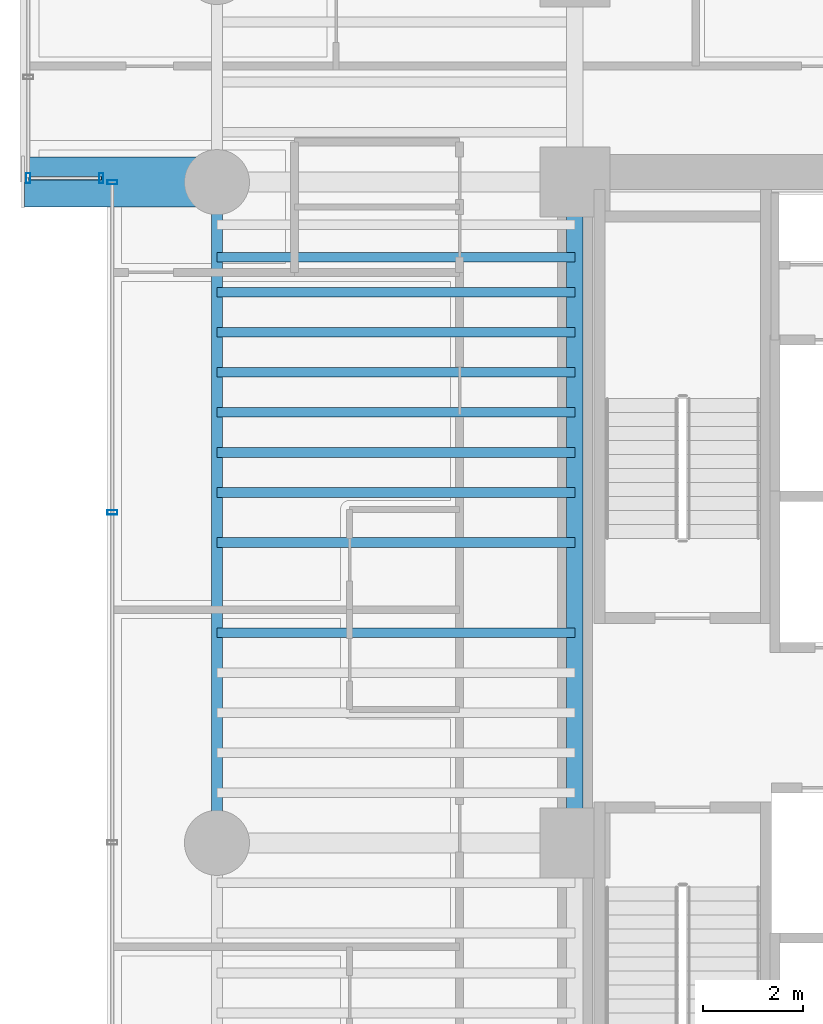
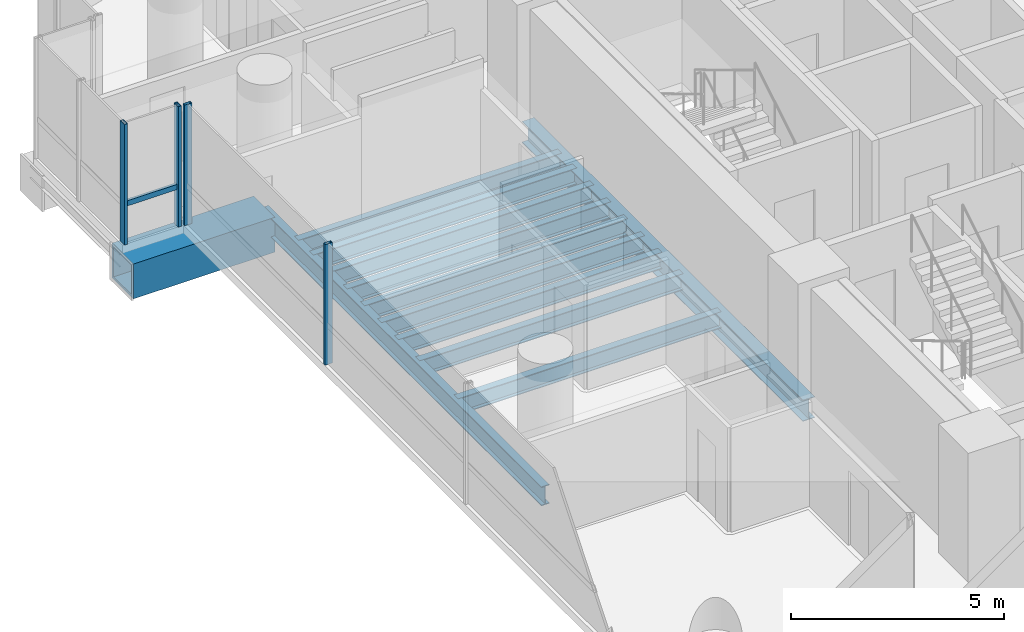
# One storey, part 10 of 42: 12 beams, 5 members, 2 elements without a shape of their own.
"""IFC4 building model written with IfcOpenShell, lengths in metres."""

import ifcopenshell
import ifcopenshell.guid

model = None  # the IFC model being written
_history = None  # IfcOwnerHistory: only IFC2X3 demands one
_inside = {}  # id of a spatial element -> (the spatial element, [elements in it])
_under = {}  # id of a project, library or spatial element -> (it, [spatial elements below it])
_declared = {}  # id of a project -> (the project, [libraries it declares])
_typed = {}  # id of a type object -> (the type object, [elements of that type])
_made_of = {}  # id of a material, layer set ... -> (it, [elements and type objects made of it])


def new_model(schema):
    """Start an empty IFC model of exactly this schema.

    Asked for "IFC4X3", IfcOpenShell would pick the latest addendum, in which some entities
    have other attributes; the version numbers below select the first issue.
    IFC2X3 requires an IfcOwnerHistory on every rooted entity: one is made here for all.
    """
    global model, _history
    if schema == "IFC4X3":
        model = ifcopenshell.file(schema_version=(4, 3, 0, 0))
    else:
        model = ifcopenshell.file(schema=schema)
    _inside.clear()
    _under.clear()
    _declared.clear()
    _typed.clear()
    _made_of.clear()
    _history = None
    if model.schema == "IFC2X3":
        org = make("IfcOrganization", Name="unknown")
        user = make(
            "IfcPersonAndOrganization",
            ThePerson=make("IfcPerson", FamilyName="unknown"),
            TheOrganization=org,
        )
        app = make(
            "IfcApplication",
            ApplicationDeveloper=org,
            Version="unknown",
            ApplicationFullName="unknown",
            ApplicationIdentifier="unknown",
        )
        _history = make(
            "IfcOwnerHistory",
            OwningUser=user,
            OwningApplication=app,
            ChangeAction="ADDED",
            CreationDate=0,
        )
    return model


def make(cls, **values):
    """One entity of the class cls with the attributes given. An attribute that is None is left unset."""
    return model.create_entity(
        cls, **{name: value for name, value in values.items() if value is not None}
    )


def rooted(cls, **values):
    """An entity with a GlobalId (a new one), such as an element, a storey or a relation."""
    return make(cls, GlobalId=ifcopenshell.guid.new(), OwnerHistory=_history, **values)


def si_unit(unit_type, name, prefix=None):
    """IfcSIUnit, for example si_unit("LENGTHUNIT", "METRE", prefix="MILLI")."""
    return make("IfcSIUnit", UnitType=unit_type, Prefix=prefix, Name=name)


def assignment(units):
    """IfcUnitAssignment: the units of a project."""
    return None if units is None else make("IfcUnitAssignment", Units=units)


def point(xyz):
    """IfcCartesianPoint."""
    return None if xyz is None else make("IfcCartesianPoint", Coordinates=xyz)


def direction(xyz):
    """IfcDirection."""
    return None if xyz is None else make("IfcDirection", DirectionRatios=xyz)


def frame(location, z_axis=None, x_axis=None):
    """IfcAxis2Placement3D, a coordinate frame: its origin and axes. An axis left out is left unset."""
    return make(
        "IfcAxis2Placement3D",
        Location=point(location),
        Axis=direction(z_axis),
        RefDirection=direction(x_axis),
    )


def frame_2d(location, x_axis=None):
    """IfcAxis2Placement2D, a coordinate frame in the plane: its origin and x axis."""
    return make(
        "IfcAxis2Placement2D", Location=point(location), RefDirection=direction(x_axis)
    )


def origin():
    """The frame at (0, 0, 0) with its axes left unset."""
    return frame((0.0, 0.0, 0.0))


def origin_2d():
    """The frame at (0, 0) in the plane with its x axis left unset."""
    return frame_2d((0.0, 0.0))


def place(relative_to, where):
    """IfcLocalPlacement: puts the frame where relative to a parent placement (None: the world)."""
    return make(
        "IfcLocalPlacement", PlacementRelTo=relative_to, RelativePlacement=where
    )


def context(
    kind, dimensions, precision=None, world=None, true_north=None, identifier=None
):
    """IfcGeometricRepresentationContext, for example the 3D "Model" context."""
    return make(
        "IfcGeometricRepresentationContext",
        ContextIdentifier=identifier,
        ContextType=kind,
        CoordinateSpaceDimension=dimensions,
        Precision=precision,
        WorldCoordinateSystem=world,
        TrueNorth=true_north,
    )


def subcontext(parent, identifier, kind, view, scale=None):
    """IfcGeometricRepresentationSubContext, for example "Body" below "Model"."""
    return make(
        "IfcGeometricRepresentationSubContext",
        ContextIdentifier=identifier,
        ContextType=kind,
        ParentContext=parent,
        TargetScale=scale,
        TargetView=view,
    )


def project(units=None, contexts=None):
    """IfcProject with its units and contexts."""
    return rooted(
        "IfcProject",
        Name="project",
        RepresentationContexts=contexts,
        UnitsInContext=assignment(units),
    )


def spatial(cls, under=None, at=None, **own):
    """A site, building, storey or space (cls), placed at a placement, below another one or the project."""
    s = rooted(cls, ObjectPlacement=at, **own)
    if under is not None:
        _under.setdefault(under.id(), (under, []))[1].append(s)
    return s


def profile(cls, at=None, kind="AREA", **sizes):
    """A parametric profile (cls). Its sizes go by their IFC names, for example OverallWidth=200.0."""
    return make(cls, ProfileType=kind, Position=at, **sizes)


def hollow_rectangle(**sizes):
    """IfcRectangleHollowProfileDef."""
    return profile("IfcRectangleHollowProfileDef", **sizes)


def i_section(**sizes):
    """IfcIShapeProfileDef."""
    return profile("IfcIShapeProfileDef", **sizes)


def extrude(swept, where, along, depth):
    """IfcExtrudedAreaSolid: the profile swept, set in the frame where, extruded along a direction by depth."""
    return make(
        "IfcExtrudedAreaSolid",
        SweptArea=swept,
        Position=where,
        ExtrudedDirection=direction(along),
        Depth=depth,
    )


def shape(context_of_items, identifier, shape_type, items):
    """IfcShapeRepresentation: the items that make up one representation, for example the "Body"."""
    return make(
        "IfcShapeRepresentation",
        ContextOfItems=context_of_items,
        RepresentationIdentifier=identifier,
        RepresentationType=shape_type,
        Items=items,
    )


def source(mapping_origin, context_of_items, identifier, shape_type, items):
    """IfcRepresentationMap: a shape defined once, which mapped items show again and again."""
    return make(
        "IfcRepresentationMap",
        MappingOrigin=mapping_origin,
        MappedRepresentation=shape(context_of_items, identifier, shape_type, items),
    )


def transform(
    local_origin,
    x_axis=None,
    y_axis=None,
    z_axis=None,
    scale=None,
    scale2=None,
    scale3=None,
    uniform=True,
):
    """IfcCartesianTransformationOperator3D, or its non-uniform kind. x_axis, y_axis, z_axis: its Axis1, 2, 3."""
    if uniform:
        return make(
            "IfcCartesianTransformationOperator3D",
            Axis1=direction(x_axis),
            Axis2=direction(y_axis),
            LocalOrigin=point(local_origin),
            Scale=scale,
            Axis3=direction(z_axis),
        )
    return make(
        "IfcCartesianTransformationOperator3DnonUniform",
        Axis1=direction(x_axis),
        Axis2=direction(y_axis),
        LocalOrigin=point(local_origin),
        Scale=scale,
        Axis3=direction(z_axis),
        Scale2=scale2,
        Scale3=scale3,
    )


def mapped(mapping_source, mapping_target):
    """IfcMappedItem: shows the shape of a source again, moved by a transform."""
    return make(
        "IfcMappedItem", MappingSource=mapping_source, MappingTarget=mapping_target
    )


def material(Name=None, Category=None):
    """IfcMaterial."""
    return make("IfcMaterial", Name=Name, Category=Category)


def material_profile(
    of_material, cross_section, Name=None, Category=None, Priority=None
):
    """IfcMaterialProfile: a cross section and its material."""
    return make(
        "IfcMaterialProfile",
        Name=Name,
        Material=of_material,
        Profile=cross_section,
        Priority=Priority,
        Category=Category,
    )


def profile_set(profiles, Name=None, composite=None):
    """IfcMaterialProfileSet."""
    return make(
        "IfcMaterialProfileSet",
        Name=Name,
        MaterialProfiles=profiles,
        CompositeProfile=composite,
    )


def made_of(thing, what):
    """Note that an element or type object is made of a material, layer set ...; save() writes the relation."""
    if what is not None:
        _made_of.setdefault(what.id(), (what, []))[1].append(thing)
    return thing


def type_object(cls, material=None, **own):
    """A type object (cls), such as IfcWallType, which elements share."""
    return made_of(rooted(cls, **own), material)


def element(
    cls,
    number,
    at=None,
    inside=None,
    cuts=None,
    type_object=None,
    material=None,
    context=None,
    identifier="Body",
    shape_type=None,
    held_by="IfcProductDefinitionShape",
    body=None,
    shapes=None,
    **own,
):
    """One element of the class cls, such as IfcWall. Its Tag is "e" and its number.

    at: its placement. inside: the storey or other place that contains it. cuts: it is an
    opening in that element (IfcRelVoidsElement). A single representation is given by context,
    identifier, shape_type and body (its items); several are given by shapes. held_by: the class
    of the entity that holds the representations. save() writes the other relations.
    """
    e = rooted(cls, Tag="e%d" % number, ObjectPlacement=at, **own)
    if body is not None:
        shapes = [shape(context, identifier, shape_type, body)]
    if shapes is not None:
        e.Representation = make(held_by, Representations=shapes)
    if inside is not None:
        _inside.setdefault(inside.id(), (inside, []))[1].append(e)
    if cuts is not None:
        rooted(
            "IfcRelVoidsElement", RelatingBuildingElement=cuts, RelatedOpeningElement=e
        )
    if type_object is not None:
        _typed.setdefault(type_object.id(), (type_object, []))[1].append(e)
    return made_of(e, material)


def aggregate(whole, parts):
    """IfcRelAggregates: a whole, such as a stair, and the parts it consists of."""
    return rooted("IfcRelAggregates", RelatingObject=whole, RelatedObjects=parts)


def save(model, path):
    """Write the relations noted so far, then the file.

    IfcRelAggregates (storeys below a building ...), IfcRelContainedInSpatialStructure (elements
    in a storey), IfcRelDefinesByType, IfcRelAssociatesMaterial and IfcRelDeclares: one each for
    every whole, place, type object, material and project.
    """
    for whole, parts in _under.values():
        aggregate(whole, parts)
    for where, things in _inside.values():
        rooted(
            "IfcRelContainedInSpatialStructure",
            RelatedElements=things,
            RelatingStructure=where,
        )
    for kind, things in _typed.values():
        rooted("IfcRelDefinesByType", RelatedObjects=things, RelatingType=kind)
    for what, things in _made_of.values():
        rooted("IfcRelAssociatesMaterial", RelatedObjects=things, RelatingMaterial=what)
    for by, libraries in _declared.values():
        rooted("IfcRelDeclares", RelatingContext=by, RelatedDefinitions=libraries)
    model.write(path)


model = new_model("IFC4")

# Units and contexts
model_context = context("Model", 3, precision=1e-05, world=origin(), true_north=direction((0.0, 1.0)))
body_context = subcontext(model_context, "Body", "Model", "MODEL_VIEW")
ifc_project = project(units=[si_unit("LENGTHUNIT", "METRE"), si_unit("AREAUNIT", "SQUARE_METRE"), si_unit("VOLUMEUNIT", "CUBIC_METRE"), si_unit("PLANEANGLEUNIT", "RADIAN"), si_unit("MASSUNIT", "GRAM", prefix="KILO")], contexts=[model_context])

# Site, building, storey
site_placement = place(None, origin())
site = spatial("IfcSite", under=ifc_project, at=site_placement, CompositionType="ELEMENT")
building_placement = place(site_placement, origin())
building = spatial("IfcBuilding", under=site, at=building_placement, Name="Valdorenza Pilgrim Sanctuary Tower", CompositionType="ELEMENT")
storey_placement = place(building_placement, frame((0.0, 0.0, 55.60009765625)))
storey = spatial("IfcBuildingStorey", under=building, at=storey_placement, Name="L13", CompositionType="ELEMENT", Elevation=55.60009765625)

# Beams
ifc_material_1 = material(Name="Steel ASTM A992 Grade 50", Category="steel")
ifc_material_profile_1 = material_profile(ifc_material_1, i_section(OverallWidth=0.214111328125, OverallDepth=0.549072265625, WebThickness=0.0146484375, FlangeThickness=0.023681640625, at=origin_2d()), Name="W21X93")
ifc_profile_set_1 = profile_set([ifc_material_profile_1], Name="Steel ASTM A992 Grade 50")
beam_type_1 = type_object("IfcBeamType", Name="STR-BM-SPN-W21A", PredefinedType="SPANDREL", material=ifc_profile_set_1)
shared_shape_1 = source(origin(), body_context, "Body", "SweptSolid", [
    extrude(i_section(OverallWidth=0.214111328125, OverallDepth=0.549072265625, WebThickness=0.0146484375, FlangeThickness=0.023681640625, at=origin_2d()), origin(), (0.0, 0.0, 1.0), 13.2001953125),
])
beam_1_placement = place(storey_placement, frame((-29.800048828125, -2.60009765625, -0.5146484375), z_axis=(0.0, 1.0, 0.0), x_axis=(-1.0, 0.0, 0.0)))
element("IfcBeam", 1, at=beam_1_placement, inside=storey, type_object=beam_type_1, Name="L13 Spandrel Beam WA-W-M0N1", PredefinedType="SPANDREL", context=body_context, shape_type="MappedRepresentation", body=[
    mapped(shared_shape_1, transform((0.0, 0.0, 0.0), x_axis=(1.0, 0.0, 0.0), y_axis=(0.0, 1.0, 0.0), z_axis=(0.0, 0.0, 1.0), scale=1.0)),
])
ifc_material_profile_2 = material_profile(ifc_material_1, i_section(OverallWidth=0.323974609375, OverallDepth=0.611083984375, WebThickness=0.0126953125, FlangeThickness=0.01904296875, at=origin_2d()), Name="W24X104")
ifc_profile_set_2 = profile_set([ifc_material_profile_2], Name="Steel ASTM A992 Grade 50")
beam_type_2 = type_object("IfcBeamType", Name="STR-BM-GRD-W24B", PredefinedType="BEAM", material=ifc_profile_set_2)
shared_shape_2 = source(origin(), body_context, "Body", "SweptSolid", [
    extrude(i_section(OverallWidth=0.323974609375, OverallDepth=0.611083984375, WebThickness=0.0126953125, FlangeThickness=0.01904296875, at=origin_2d()), origin(), (0.0, 0.0, 1.0), 13.2001953125),
])
beam_2_placement = place(storey_placement, frame((-22.64990234375, -2.60009765625, -0.545654296875), z_axis=(0.0, 1.0, 0.0), x_axis=(-1.0, 0.0, 0.0)))
element("IfcBeam", 2, at=beam_2_placement, inside=storey, type_object=beam_type_2, Name="L13 Core Tie Girder CA-W-M0N1", PredefinedType="BEAM", context=body_context, shape_type="MappedRepresentation", body=[
    mapped(shared_shape_2, transform((0.0, 0.0, 0.0), x_axis=(1.0, 0.0, 0.0), y_axis=(0.0, 1.0, 0.0), z_axis=(0.0, 0.0, 1.0), scale=1.0)),
])
ifc_material_profile_3 = material_profile(ifc_material_1, i_section(OverallWidth=0.193115234375, OverallDepth=0.466064453125, WebThickness=0.011474609375, FlangeThickness=0.01904296875, at=origin_2d()), Name="W18X65")
ifc_profile_set_3 = profile_set([ifc_material_profile_3], Name="Steel ASTM A992 Grade 50")
beam_type_3 = type_object("IfcBeamType", Name="STR-BM-JST-W18A", PredefinedType="JOIST", material=ifc_profile_set_3)
shared_shape_3 = source(origin(), body_context, "Body", "SweptSolid", [
    extrude(i_section(OverallWidth=0.193115234375, OverallDepth=0.466064453125, WebThickness=0.011474609375, FlangeThickness=0.01904296875, at=origin_2d()), origin(), (0.0, 0.0, 1.0), 7.150146484375),
])
for number, where, z_axis, x_axis, name in (
    (3, (-29.800048828125, 1.60009765625, -0.47314453125), (1.0, 0.0, 0.0), (0.0, 1.0, 0.0), "L13 Composite Floor Joist JST-WA-14"),
    (4, (-29.800048828125, 3.39990234375, -0.47314453125), (1.0, 0.0, 0.0), (0.0, 1.0, 0.0), "L13 Composite Floor Joist JST-WA-15"),
    (5, (-29.800048828125, 4.39990234375, -0.47314453125), (1.0, 0.0, 0.0), (0.0, 1.0, 0.0), "L13 Composite Floor Joist JST-WA-16"),
    (6, (-29.800048828125, 5.199951171875, -0.47314453125), (1.0, 0.0, 0.0), (0.0, 1.0, 0.0), "L13 Composite Floor Joist JST-WA-17"),
    (7, (-29.800048828125, 6.0, -0.47314453125), (1.0, 0.0, 0.0), (0.0, 1.0, 0.0), "L13 Composite Floor Joist JST-WA-18"),
    (8, (-29.800048828125, 6.800048828125, -0.47314453125), (1.0, 0.0, 0.0), (0.0, 1.0, 0.0), "L13 Composite Floor Joist JST-WA-19"),
    (9, (-29.800048828125, 7.60009765625, -0.47314453125), (1.0, 0.0, 0.0), (0.0, 1.0, 0.0), "L13 Composite Floor Joist JST-WA-20"),
    (10, (-29.800048828125, 8.39990234375, -0.47314453125), (1.0, 0.0, 0.0), (0.0, 1.0, 0.0), "L13 Composite Floor Joist JST-WA-21"),
    (11, (-29.800048828125, 9.10009765625, -0.47314453125), (1.0, 0.0, 0.0), (0.0, 1.0, 0.0), "L13 Composite Floor Joist JST-WA-22"),
):
    element("IfcBeam", number, at=place(storey_placement, frame(where, z_axis=z_axis, x_axis=x_axis)), inside=storey, type_object=beam_type_3, Name=name, PredefinedType="JOIST", context=body_context, shape_type="MappedRepresentation", body=[
        mapped(shared_shape_3, transform((0.0, 0.0, 0.0), x_axis=(1.0, 0.0, 0.0), y_axis=(0.0, 1.0, 0.0), z_axis=(0.0, 0.0, 1.0), scale=1.0)),
    ])
ifc_material_2 = material(Name="Steel ASTM A572 Grade 42", Category="steel")
ifc_material_profile_4 = material_profile(ifc_material_2, hollow_rectangle(XDim=1.0, YDim=1.0, WallThickness=0.080078125, at=origin_2d()), Name="BOX 1000x1000x80")
ifc_profile_set_4 = profile_set([ifc_material_profile_4], Name="Steel ASTM A572 Grade 42")
beam_type_4 = type_object("IfcBeamType", Name="STR-BM-PROW-CANT", PredefinedType="BEAM", material=ifc_profile_set_4)
shared_shape_4 = source(origin(), body_context, "Body", "SweptSolid", [
    extrude(hollow_rectangle(XDim=1.0, YDim=1.0, WallThickness=0.080078125, at=origin_2d()), origin(), (0.0, 0.0, 1.0), 3.849853515625),
])
beam_3_placement = place(storey_placement, frame((-29.800048828125, 10.60009765625, -0.739990234375), z_axis=(-1.0, 0.0, 0.0), x_axis=(0.0, -1.0, 0.0)))
element("IfcBeam", 12, at=beam_3_placement, inside=storey, type_object=beam_type_4, Name="L13 Glass Box Cantilever Beam BOX-WA-L13-CT-S", PredefinedType="BEAM", context=body_context, shape_type="MappedRepresentation", body=[
    mapped(shared_shape_4, transform((0.0, 0.0, 0.0), x_axis=(1.0, 0.0, 0.0), y_axis=(0.0, 1.0, 0.0), z_axis=(0.0, 0.0, 1.0), scale=1.0)),
])

# Curtain wall, members
ifc_material_3 = material(Name="Curtain-wall IGU glazing", Category="glass")
curtain_wall_type = type_object("IfcCurtainWallType", Name="CW-SYS-02", PredefinedType="NOTDEFINED", material=ifc_material_3)
curtain_wall_1_placement = place(storey_placement, origin())
curtain_wall_1 = element("IfcCurtainWall", 13, at=curtain_wall_1_placement, inside=storey, type_object=curtain_wall_type, Name="L13 Curtain Wall CW-L13-1-1S1", PredefinedType="NOTDEFINED")
ifc_material_4 = material(Name="Anodised aluminium AW-6060", Category="aluminium")
ifc_material_profile_5 = material_profile(ifc_material_4, hollow_rectangle(XDim=0.0849609375, YDim=0.199951171875, WallThickness=0.0048828125, at=origin_2d()), Name="ALU-M 200x85x5")
ifc_profile_set_5 = profile_set([ifc_material_profile_5], Name="Anodised aluminium AW-6060")
member_type_1 = type_object("IfcMemberType", Name="CW-MUL-02", PredefinedType="MULLION", material=ifc_profile_set_5)
shared_shape_5 = source(origin(), body_context, "Body", "SweptSolid", [
    extrude(hollow_rectangle(XDim=0.0849609375, YDim=0.199951171875, WallThickness=0.0048828125, at=origin_2d()), origin(), (0.0, 0.0, 1.0), 3.4599609375),
])
member_1_placement = place(storey_placement, frame((-31.889892578125, 4.002685546875, 0.0), z_axis=(0.0, 0.0, 1.0), x_axis=(0.0, 1.0, 0.0)))
member_1 = element("IfcMember", 14, at=member_1_placement, type_object=member_type_1, Name="CW-L13-1-1S1 Mullion 4", PredefinedType="MULLION", context=body_context, shape_type="MappedRepresentation", body=[
    mapped(shared_shape_5, transform((0.0, 0.0, 0.0), x_axis=(1.0, 0.0, 0.0), y_axis=(0.0, 1.0, 0.0), z_axis=(0.0, 0.0, 1.0), scale=1.0)),
])
member_2_placement = place(storey_placement, frame((-31.889892578125, 10.60009765625, 0.0), z_axis=(0.0, 0.0, 1.0), x_axis=(0.0, 1.0, 0.0)))
member_2 = element("IfcMember", 15, at=member_2_placement, type_object=member_type_1, Name="CW-L13-1-1S1 Mullion 5", PredefinedType="MULLION", context=body_context, shape_type="MappedRepresentation", body=[
    mapped(shared_shape_5, transform((0.0, 0.0, 0.0), x_axis=(1.0, 0.0, 0.0), y_axis=(0.0, 1.0, 0.0), z_axis=(0.0, 0.0, 1.0), scale=1.0)),
])
aggregate(curtain_wall_1, [member_1, member_2])

curtain_wall_2_placement = place(storey_placement, origin())
curtain_wall_2 = element("IfcCurtainWall", 16, at=curtain_wall_2_placement, inside=storey, type_object=curtain_wall_type, Name="L13 Curtain Wall CW-L13-BOX-WA-L13-S", PredefinedType="NOTDEFINED")
member_3_placement = place(storey_placement, frame((-32.110107421875, 10.679931640625, 0.0), z_axis=(0.0, 0.0, 1.0), x_axis=(-1.0, 0.0, 0.0)))
member_3 = element("IfcMember", 17, at=member_3_placement, type_object=member_type_1, Name="CW-L13-BOX-WA-L13-S Mullion 1", PredefinedType="MULLION", context=body_context, shape_type="MappedRepresentation", body=[
    mapped(shared_shape_5, transform((0.0, 0.0, 0.0), x_axis=(1.0, 0.0, 0.0), y_axis=(0.0, 1.0, 0.0), z_axis=(0.0, 0.0, 1.0), scale=1.0)),
])
member_4_placement = place(storey_placement, frame((-33.570068359375, 10.679931640625, 0.0), z_axis=(0.0, 0.0, 1.0), x_axis=(-1.0, 0.0, 0.0)))
member_4 = element("IfcMember", 18, at=member_4_placement, type_object=member_type_1, Name="CW-L13-BOX-WA-L13-S Mullion 2", PredefinedType="MULLION", context=body_context, shape_type="MappedRepresentation", body=[
    mapped(shared_shape_5, transform((0.0, 0.0, 0.0), x_axis=(1.0, 0.0, 0.0), y_axis=(0.0, 1.0, 0.0), z_axis=(0.0, 0.0, 1.0), scale=1.0)),
])
ifc_material_profile_6 = material_profile(ifc_material_4, hollow_rectangle(XDim=0.074951171875, YDim=0.14990234375, WallThickness=0.00390625, at=origin_2d()), Name="ALU-T 150x75x4")
ifc_profile_set_6 = profile_set([ifc_material_profile_6], Name="Anodised aluminium AW-6060")
member_type_2 = type_object("IfcMemberType", Name="CW-TRN-02", PredefinedType="USERDEFINED", material=ifc_profile_set_6)
shared_shape_6 = source(origin(), body_context, "Body", "SweptSolid", [
    extrude(hollow_rectangle(XDim=0.074951171875, YDim=0.14990234375, WallThickness=0.00390625, at=origin_2d()), origin(), (0.0, 0.0, 1.0), 1.4599609375),
])
member_5_placement = place(storey_placement, frame((-32.110107421875, 10.679931640625, 1.119873046875), z_axis=(-1.0, 0.0, 0.0), x_axis=(0.0, -1.0, 0.0)))
member_5 = element("IfcMember", 19, at=member_5_placement, type_object=member_type_2, Name="CW-L13-BOX-WA-L13-S Transom 1", ObjectType="TRANSOM", PredefinedType="USERDEFINED", context=body_context, shape_type="MappedRepresentation", body=[
    mapped(shared_shape_6, transform((0.0, 0.0, 0.0), x_axis=(1.0, 0.0, 0.0), y_axis=(0.0, 1.0, 0.0), z_axis=(0.0, 0.0, 1.0), scale=1.0)),
])
aggregate(curtain_wall_2, [member_3, member_4, member_5])

save(model, "model.ifc")
